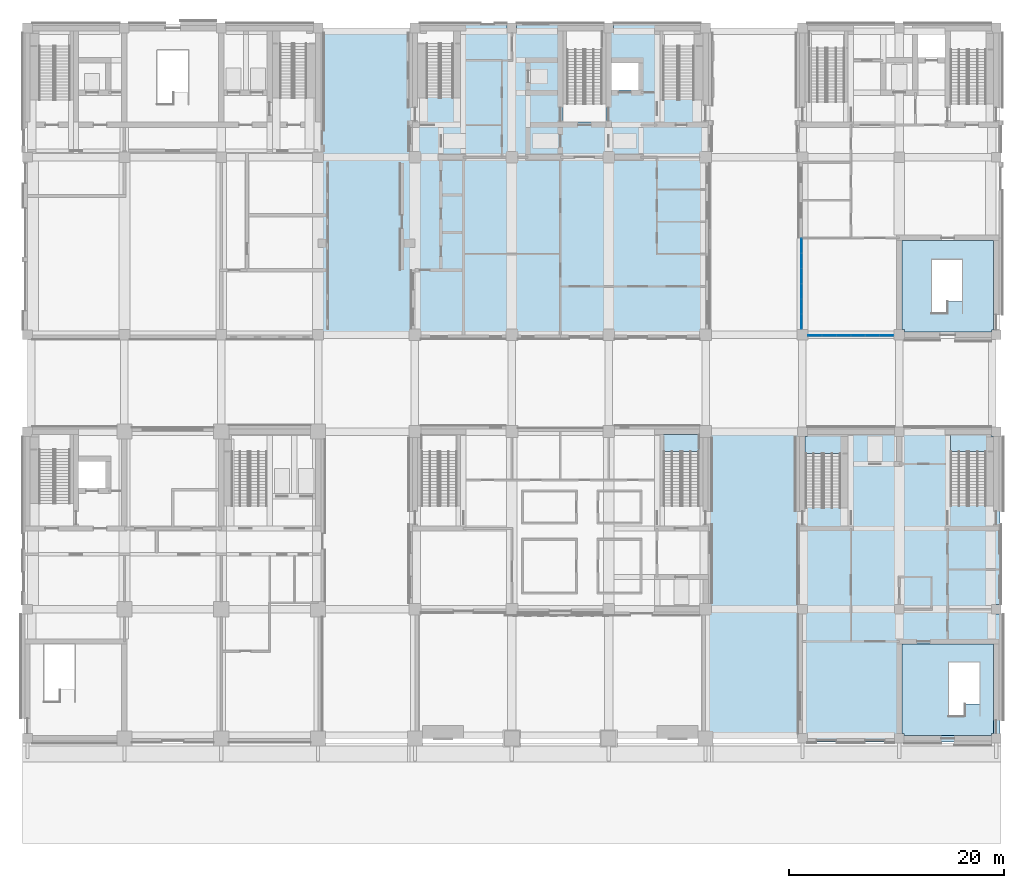
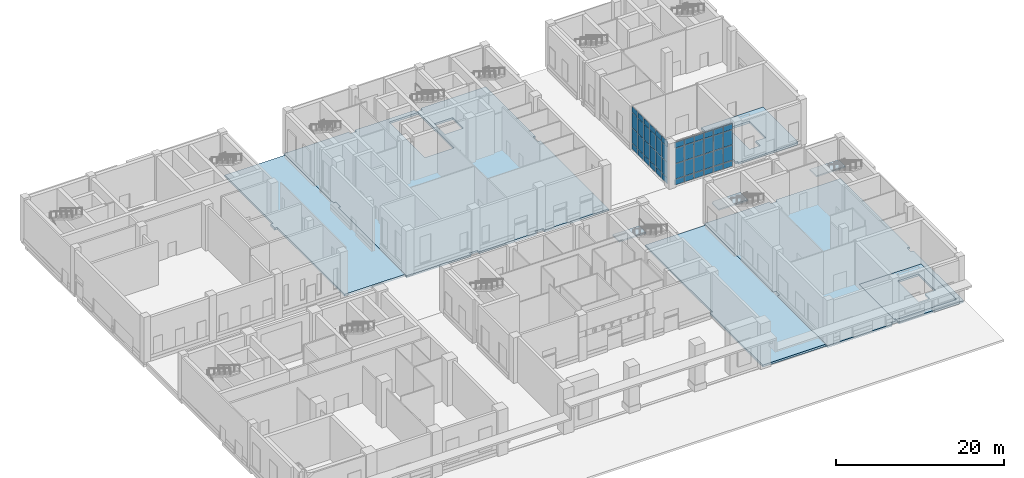
# One storey, part 6 of 35: 48 plates, 9 slabs, 5 elements without a shape of their own.
"""IFC4 building model written with IfcOpenShell, lengths in metres."""

from ifc_helpers import new_model, si_unit, direction, frame, origin, origin_2d, place, context, subcontext, project, spatial, polyline, rectangle, outline, extrude, material, layer, layer_set, type_object, element, aggregate, save


model = new_model("IFC4")

# Units and contexts
model_context = context("Model", 3, precision=1e-05, world=origin(), true_north=direction((0.0, 1.0)))
body_context = subcontext(model_context, "Body", "Model", "MODEL_VIEW")
ifc_project = project(units=[si_unit("LENGTHUNIT", "METRE"), si_unit("AREAUNIT", "SQUARE_METRE"), si_unit("VOLUMEUNIT", "CUBIC_METRE"), si_unit("PLANEANGLEUNIT", "RADIAN"), si_unit("MASSUNIT", "GRAM", prefix="KILO")], contexts=[model_context])

# Site, building, storey
site_placement = place(None, origin())
site = spatial("IfcSite", under=ifc_project, at=site_placement, CompositionType="ELEMENT")
building_placement = place(site_placement, origin())
building = spatial("IfcBuilding", under=site, at=building_placement, Name="Aurelan Courthouse", CompositionType="ELEMENT")
storey_placement = place(building_placement, origin())
storey = spatial("IfcBuildingStorey", under=building, at=storey_placement, Name="L00", CompositionType="ELEMENT", Elevation=0.0)

# Curtain wall, plates
ifc_material_1 = material(Name="Bronze-finished aluminium and glass", Category="aluminium")
ifc_layer_1 = layer(ifc_material_1, 0.14990234375)
ifc_layer_set_1 = layer_set([ifc_layer_1], Name="Bronze-finished aluminium and glass")
curtain_wall_type_1 = type_object("IfcCurtainWallType", Name="Curtain wall 8000 x 6300", PredefinedType="NOTDEFINED", material=ifc_layer_set_1)
curtain_wall_1_placement = place(storey_placement, origin())
curtain_wall_1 = element("IfcCurtainWall", 1, at=curtain_wall_1_placement, inside=storey, type_object=curtain_wall_type_1, Name="Curtain wall CW-V3-L00-S01", PredefinedType="NOTDEFINED")
ifc_material_2 = material(Name="Bronze-finished aluminium", Category="aluminium")
ifc_layer_2 = layer(ifc_material_2, 0.070068359375)
ifc_layer_set_2 = layer_set([ifc_layer_2], Name="Bronze-finished aluminium")
plate_type_1 = type_object("IfcPlateType", Name="Bronze spandrel panel 70", PredefinedType="CURTAIN_PANEL", material=ifc_layer_set_2)
plate_1_placement = place(storey_placement, frame((73.181640625, 37.425048828125, 5.429931640625), z_axis=(0.0, 0.0, 1.0), x_axis=(1.0, 0.0, 0.0)))
plate_1 = element("IfcPlate", 2, at=plate_1_placement, type_object=plate_type_1, Name="CW-V3-L00-S01 spandrel panel 1.4", PredefinedType="CURTAIN_PANEL", context=body_context, shape_type="SweptSolid", body=[
    extrude(rectangle(XDim=1.243408203125, YDim=0.070068359375, at=origin_2d()), origin(), (0.0, 0.0, 1.0), 0.81005859375),
])
plate_2_placement = place(storey_placement, frame((74.5, 37.425048828125, 5.429931640625), z_axis=(0.0, 0.0, 1.0), x_axis=(1.0, 0.0, 0.0)))
plate_2 = element("IfcPlate", 3, at=plate_2_placement, type_object=plate_type_1, Name="CW-V3-L00-S01 spandrel panel 2.4", PredefinedType="CURTAIN_PANEL", context=body_context, shape_type="SweptSolid", body=[
    extrude(rectangle(XDim=1.2734375, YDim=0.070068359375, at=origin_2d()), origin(), (0.0, 0.0, 1.0), 0.81005859375),
])
plate_3_placement = place(storey_placement, frame((75.833251953125, 37.425048828125, 5.429931640625), z_axis=(0.0, 0.0, 1.0), x_axis=(1.0, 0.0, 0.0)))
plate_3 = element("IfcPlate", 4, at=plate_3_placement, type_object=plate_type_1, Name="CW-V3-L00-S01 spandrel panel 3.4", PredefinedType="CURTAIN_PANEL", context=body_context, shape_type="SweptSolid", body=[
    extrude(rectangle(XDim=1.2734375, YDim=0.070068359375, at=origin_2d()), origin(), (0.0, 0.0, 1.0), 0.81005859375),
])
plate_4_placement = place(storey_placement, frame((77.166748046875, 37.425048828125, 5.429931640625), z_axis=(0.0, 0.0, 1.0), x_axis=(1.0, 0.0, 0.0)))
plate_4 = element("IfcPlate", 5, at=plate_4_placement, type_object=plate_type_1, Name="CW-V3-L00-S01 spandrel panel 4.4", PredefinedType="CURTAIN_PANEL", context=body_context, shape_type="SweptSolid", body=[
    extrude(rectangle(XDim=1.2734375, YDim=0.070068359375, at=origin_2d()), origin(), (0.0, 0.0, 1.0), 0.81005859375),
])
plate_5_placement = place(storey_placement, frame((78.5, 37.425048828125, 5.429931640625), z_axis=(0.0, 0.0, 1.0), x_axis=(1.0, 0.0, 0.0)))
plate_5 = element("IfcPlate", 6, at=plate_5_placement, type_object=plate_type_1, Name="CW-V3-L00-S01 spandrel panel 5.4", PredefinedType="CURTAIN_PANEL", context=body_context, shape_type="SweptSolid", body=[
    extrude(rectangle(XDim=1.2734375, YDim=0.070068359375, at=origin_2d()), origin(), (0.0, 0.0, 1.0), 0.81005859375),
])
plate_6_placement = place(storey_placement, frame((79.818359375, 37.425048828125, 5.429931640625), z_axis=(0.0, 0.0, 1.0), x_axis=(1.0, 0.0, 0.0)))
plate_6 = element("IfcPlate", 7, at=plate_6_placement, type_object=plate_type_1, Name="CW-V3-L00-S01 spandrel panel 6.4", PredefinedType="CURTAIN_PANEL", context=body_context, shape_type="SweptSolid", body=[
    extrude(rectangle(XDim=1.243408203125, YDim=0.070068359375, at=origin_2d()), origin(), (0.0, 0.0, 1.0), 0.81005859375),
])

ifc_layer_3 = layer(ifc_material_1, 0.14990234375)
ifc_layer_set_3 = layer_set([ifc_layer_3], Name="Bronze-finished aluminium and glass")
curtain_wall_type_2 = type_object("IfcCurtainWallType", Name="Curtain wall 8500 x 6300", PredefinedType="NOTDEFINED", material=ifc_layer_set_3)
curtain_wall_2_placement = place(storey_placement, origin())
curtain_wall_2 = element("IfcCurtainWall", 8, at=curtain_wall_2_placement, inside=storey, type_object=curtain_wall_type_2, Name="Curtain wall CW-V3-L00-W01", PredefinedType="NOTDEFINED")
plate_7_placement = place(storey_placement, frame((71.925048828125, 38.723388671875, 5.429931640625), z_axis=(0.0, 0.0, 1.0), x_axis=(0.0, 1.0, 0.0)))
plate_7 = element("IfcPlate", 9, at=plate_7_placement, type_object=plate_type_1, Name="CW-V3-L00-W01 spandrel panel 1.4", PredefinedType="CURTAIN_PANEL", context=body_context, shape_type="SweptSolid", body=[
    extrude(rectangle(XDim=1.32666015625, YDim=0.070068359375, at=origin_2d()), origin(), (0.0, 0.0, 1.0), 0.81005859375),
])
plate_8_placement = place(storey_placement, frame((71.925048828125, 40.125, 5.429931640625), z_axis=(0.0, 0.0, 1.0), x_axis=(0.0, 1.0, 0.0)))
plate_8 = element("IfcPlate", 10, at=plate_8_placement, type_object=plate_type_1, Name="CW-V3-L00-W01 spandrel panel 2.4", PredefinedType="CURTAIN_PANEL", context=body_context, shape_type="SweptSolid", body=[
    extrude(rectangle(XDim=1.356689453125, YDim=0.070068359375, at=origin_2d()), origin(), (0.0, 0.0, 1.0), 0.81005859375),
])
plate_9_placement = place(storey_placement, frame((71.925048828125, 41.541748046875, 5.429931640625), z_axis=(0.0, 0.0, 1.0), x_axis=(0.0, 1.0, 0.0)))
plate_9 = element("IfcPlate", 11, at=plate_9_placement, type_object=plate_type_1, Name="CW-V3-L00-W01 spandrel panel 3.4", PredefinedType="CURTAIN_PANEL", context=body_context, shape_type="SweptSolid", body=[
    extrude(rectangle(XDim=1.356689453125, YDim=0.070068359375, at=origin_2d()), origin(), (0.0, 0.0, 1.0), 0.81005859375),
])
plate_10_placement = place(storey_placement, frame((71.925048828125, 42.958251953125, 5.429931640625), z_axis=(0.0, 0.0, 1.0), x_axis=(0.0, 1.0, 0.0)))
plate_10 = element("IfcPlate", 12, at=plate_10_placement, type_object=plate_type_1, Name="CW-V3-L00-W01 spandrel panel 4.4", PredefinedType="CURTAIN_PANEL", context=body_context, shape_type="SweptSolid", body=[
    extrude(rectangle(XDim=1.356689453125, YDim=0.070068359375, at=origin_2d()), origin(), (0.0, 0.0, 1.0), 0.81005859375),
])
plate_11_placement = place(storey_placement, frame((71.925048828125, 44.375, 5.429931640625), z_axis=(0.0, 0.0, 1.0), x_axis=(0.0, 1.0, 0.0)))
plate_11 = element("IfcPlate", 13, at=plate_11_placement, type_object=plate_type_1, Name="CW-V3-L00-W01 spandrel panel 5.4", PredefinedType="CURTAIN_PANEL", context=body_context, shape_type="SweptSolid", body=[
    extrude(rectangle(XDim=1.356689453125, YDim=0.070068359375, at=origin_2d()), origin(), (0.0, 0.0, 1.0), 0.81005859375),
])
plate_12_placement = place(storey_placement, frame((71.925048828125, 45.776611328125, 5.429931640625), z_axis=(0.0, 0.0, 1.0), x_axis=(0.0, 1.0, 0.0)))
plate_12 = element("IfcPlate", 14, at=plate_12_placement, type_object=plate_type_1, Name="CW-V3-L00-W01 spandrel panel 6.4", PredefinedType="CURTAIN_PANEL", context=body_context, shape_type="SweptSolid", body=[
    extrude(rectangle(XDim=1.32666015625, YDim=0.070068359375, at=origin_2d()), origin(), (0.0, 0.0, 1.0), 0.81005859375),
])

# Slabs
ifc_material_3 = material(Name="Concrete C40", Category="concrete")
ifc_layer_4 = layer(ifc_material_3, 0.300048828125)
ifc_layer_set_4 = layer_set([ifc_layer_4], Name="Concrete C40")
slab_type_1 = type_object("IfcSlabType", Name="PT court deck slab 300", PredefinedType="FLOOR", material=ifc_layer_set_4)
slab_1_placement = place(storey_placement, frame((0.0, 0.0, -0.300048828125)))
element("IfcSlab", 15, at=slab_1_placement, inside=storey, type_object=slab_type_1, Name="Court Deck G1N", PredefinedType="FLOOR", context=body_context, shape_type="SweptSolid", body=[
    extrude(outline(polyline([(36.0, 53.449951171875), (36.0, 54.550048828125), (35.64990234375, 54.550048828125), (35.64990234375, 65.550048828125), (35.64990234375, 66.0), (27.35009765625, 66.0), (27.35009765625, 65.550048828125), (27.35009765625, 54.5), (27.0, 54.5), (27.0, 53.5), (27.35009765625, 53.5), (27.35009765625, 38.0), (27.35009765625, 37.5), (35.64990234375, 37.5), (35.64990234375, 38.050048828125), (35.64990234375, 53.449951171875), (36.0, 53.449951171875)])), origin(), (0.0, 0.0, 1.0), 0.300048828125),
])
slab_2_placement = place(storey_placement, frame((0.0, 0.0, -0.300048828125)))
element("IfcSlab", 16, at=slab_2_placement, inside=storey, type_object=slab_type_1, Name="Court Deck G2S", PredefinedType="FLOOR", context=body_context, shape_type="SweptSolid", body=[
    extrude(outline(polyline([(72.0, 11.550048828125), (72.0, 12.449951171875), (71.64990234375, 12.449951171875), (71.64990234375, 28.050048828125), (71.64990234375, 28.5), (63.35009765625, 28.5), (63.35009765625, 27.949951171875), (63.35009765625, 12.550048828125), (63.0, 12.550048828125), (63.0, 11.75), (63.0, 0.0), (71.64990234375, 0.0), (71.64990234375, 0.449951171875), (71.64990234375, 11.550048828125), (72.0, 11.550048828125)])), origin(), (0.0, 0.0, 1.0), 0.300048828125),
])
ifc_layer_5 = layer(ifc_material_3, 0.300048828125)
ifc_layer_set_5 = layer_set([ifc_layer_5], Name="Concrete C40")
slab_type_2 = type_object("IfcSlabType", Name="PT floor slab 300", PredefinedType="FLOOR", material=ifc_layer_set_5)
slab_3_placement = place(storey_placement, frame((0.0, 0.0, -0.300048828125)))
element("IfcSlab", 17, at=slab_3_placement, inside=storey, type_object=slab_type_2, Name="Floor slab SL-L00-02", PredefinedType="FLOOR", context=body_context, shape_type="SweptSolid", body=[
    extrude(outline(polyline([(35.64990234375, 38.050048828125), (35.64990234375, 37.14990234375), (36.550048828125, 37.14990234375), (44.449951171875, 37.14990234375), (44.449951171875, 37.5), (45.550048828125, 37.5), (45.550048828125, 37.14990234375), (53.449951171875, 37.14990234375), (53.449951171875, 37.5), (54.550048828125, 37.5), (54.550048828125, 37.14990234375), (62.449951171875, 37.14990234375), (63.35009765625, 37.14990234375), (63.35009765625, 38.050048828125), (63.35009765625, 53.449951171875), (63.0, 53.449951171875), (63.0, 54.550048828125), (63.35009765625, 54.550048828125), (63.35009765625, 65.550048828125), (63.35009765625, 66.35009765625), (62.550048828125, 66.35009765625), (54.449951171875, 66.35009765625), (54.449951171875, 66.0), (53.550048828125, 66.0), (53.550048828125, 66.35009765625), (45.449951171875, 66.35009765625), (45.449951171875, 66.0), (44.550048828125, 66.0), (44.550048828125, 66.35009765625), (36.449951171875, 66.35009765625), (35.64990234375, 66.35009765625), (35.64990234375, 65.550048828125), (35.64990234375, 54.550048828125), (36.0, 54.550048828125), (36.0, 53.449951171875), (35.64990234375, 53.449951171875), (35.64990234375, 38.050048828125)]), holes=[polyline([(56.75, 62.75), (56.75, 60.25), (54.25, 60.25), (54.25, 62.75), (56.75, 62.75)]), polyline([(49.75, 65.75), (53.75, 65.75), (53.75, 57.25), (49.75, 57.25), (49.75, 65.75)])]), origin(), (0.0, 0.0, 1.0), 0.300048828125),
])
slab_4_placement = place(storey_placement, frame((0.0, 0.0, -0.300048828125)))
element("IfcSlab", 18, at=slab_4_placement, inside=storey, type_object=slab_type_2, Name="Floor slab SL-L00-04", PredefinedType="FLOOR", context=body_context, shape_type="SweptSolid", body=[
    extrude(outline(polyline([(71.64990234375, -0.35009765625), (72.449951171875, -0.35009765625), (80.550048828125, -0.35009765625), (80.550048828125, 0.0), (81.449951171875, 0.0), (81.449951171875, -0.35009765625), (89.550048828125, -0.35009765625), (90.35009765625, -0.35009765625), (90.35009765625, 0.449951171875), (90.35009765625, 11.550048828125), (90.0, 11.550048828125), (90.0, 12.449951171875), (90.35009765625, 12.449951171875), (90.35009765625, 28.050048828125), (90.35009765625, 28.85009765625), (89.550048828125, 28.85009765625), (81.449951171875, 28.85009765625), (81.449951171875, 28.5), (80.550048828125, 28.5), (80.550048828125, 28.85009765625), (72.449951171875, 28.85009765625), (71.64990234375, 28.85009765625), (71.64990234375, 28.050048828125), (71.64990234375, 12.449951171875), (72.0, 12.449951171875), (72.0, 11.550048828125), (71.64990234375, 11.550048828125), (71.64990234375, 0.449951171875), (71.64990234375, -0.35009765625)]), holes=[polyline([(89.75, 8.75), (89.75, 0.25), (81.25, 0.25), (81.25, 8.75), (89.75, 8.75)])]), origin(), (0.0, 0.0, 1.0), 0.300048828125),
])

# Plate
ifc_layer_6 = layer(ifc_material_2, 0.0400390625)
ifc_layer_set_6 = layer_set([ifc_layer_6], Name="Bronze-finished aluminium")
plate_type_2 = type_object("IfcPlateType", Name="Sill panel 40", PredefinedType="CURTAIN_PANEL", material=ifc_layer_set_6)
plate_13_placement = place(storey_placement, frame((73.181640625, 37.425048828125, 0.06005859375), z_axis=(0.0, 0.0, 1.0), x_axis=(1.0, 0.0, 0.0)))
plate_13 = element("IfcPlate", 19, at=plate_13_placement, type_object=plate_type_2, Name="CW-V3-L00-S01 sill panel 1.1", PredefinedType="CURTAIN_PANEL", context=body_context, shape_type="SweptSolid", body=[
    extrude(rectangle(XDim=1.243408203125, YDim=0.0400390625, at=origin_2d()), origin(), (0.0, 0.0, 1.0), 0.81005859375),
])

plate_14_placement = place(storey_placement, frame((74.5, 37.425048828125, 0.06005859375), z_axis=(0.0, 0.0, 1.0), x_axis=(1.0, 0.0, 0.0)))
plate_14 = element("IfcPlate", 20, at=plate_14_placement, type_object=plate_type_2, Name="CW-V3-L00-S01 sill panel 2.1", PredefinedType="CURTAIN_PANEL", context=body_context, shape_type="SweptSolid", body=[
    extrude(rectangle(XDim=1.2734375, YDim=0.0400390625, at=origin_2d()), origin(), (0.0, 0.0, 1.0), 0.81005859375),
])

plate_15_placement = place(storey_placement, frame((75.833251953125, 37.425048828125, 0.06005859375), z_axis=(0.0, 0.0, 1.0), x_axis=(1.0, 0.0, 0.0)))
plate_15 = element("IfcPlate", 21, at=plate_15_placement, type_object=plate_type_2, Name="CW-V3-L00-S01 sill panel 3.1", PredefinedType="CURTAIN_PANEL", context=body_context, shape_type="SweptSolid", body=[
    extrude(rectangle(XDim=1.2734375, YDim=0.0400390625, at=origin_2d()), origin(), (0.0, 0.0, 1.0), 0.81005859375),
])

plate_16_placement = place(storey_placement, frame((77.166748046875, 37.425048828125, 0.06005859375), z_axis=(0.0, 0.0, 1.0), x_axis=(1.0, 0.0, 0.0)))
plate_16 = element("IfcPlate", 22, at=plate_16_placement, type_object=plate_type_2, Name="CW-V3-L00-S01 sill panel 4.1", PredefinedType="CURTAIN_PANEL", context=body_context, shape_type="SweptSolid", body=[
    extrude(rectangle(XDim=1.2734375, YDim=0.0400390625, at=origin_2d()), origin(), (0.0, 0.0, 1.0), 0.81005859375),
])

plate_17_placement = place(storey_placement, frame((78.5, 37.425048828125, 0.06005859375), z_axis=(0.0, 0.0, 1.0), x_axis=(1.0, 0.0, 0.0)))
plate_17 = element("IfcPlate", 23, at=plate_17_placement, type_object=plate_type_2, Name="CW-V3-L00-S01 sill panel 5.1", PredefinedType="CURTAIN_PANEL", context=body_context, shape_type="SweptSolid", body=[
    extrude(rectangle(XDim=1.2734375, YDim=0.0400390625, at=origin_2d()), origin(), (0.0, 0.0, 1.0), 0.81005859375),
])

plate_18_placement = place(storey_placement, frame((79.818359375, 37.425048828125, 0.06005859375), z_axis=(0.0, 0.0, 1.0), x_axis=(1.0, 0.0, 0.0)))
plate_18 = element("IfcPlate", 24, at=plate_18_placement, type_object=plate_type_2, Name="CW-V3-L00-S01 sill panel 6.1", PredefinedType="CURTAIN_PANEL", context=body_context, shape_type="SweptSolid", body=[
    extrude(rectangle(XDim=1.243408203125, YDim=0.0400390625, at=origin_2d()), origin(), (0.0, 0.0, 1.0), 0.81005859375),
])

plate_19_placement = place(storey_placement, frame((71.925048828125, 38.723388671875, 0.06005859375), z_axis=(0.0, 0.0, 1.0), x_axis=(0.0, 1.0, 0.0)))
plate_19 = element("IfcPlate", 25, at=plate_19_placement, type_object=plate_type_2, Name="CW-V3-L00-W01 sill panel 1.1", PredefinedType="CURTAIN_PANEL", context=body_context, shape_type="SweptSolid", body=[
    extrude(rectangle(XDim=1.32666015625, YDim=0.0400390625, at=origin_2d()), origin(), (0.0, 0.0, 1.0), 0.81005859375),
])

plate_20_placement = place(storey_placement, frame((71.925048828125, 40.125, 0.06005859375), z_axis=(0.0, 0.0, 1.0), x_axis=(0.0, 1.0, 0.0)))
plate_20 = element("IfcPlate", 26, at=plate_20_placement, type_object=plate_type_2, Name="CW-V3-L00-W01 sill panel 2.1", PredefinedType="CURTAIN_PANEL", context=body_context, shape_type="SweptSolid", body=[
    extrude(rectangle(XDim=1.356689453125, YDim=0.0400390625, at=origin_2d()), origin(), (0.0, 0.0, 1.0), 0.81005859375),
])

plate_21_placement = place(storey_placement, frame((71.925048828125, 41.541748046875, 0.06005859375), z_axis=(0.0, 0.0, 1.0), x_axis=(0.0, 1.0, 0.0)))
plate_21 = element("IfcPlate", 27, at=plate_21_placement, type_object=plate_type_2, Name="CW-V3-L00-W01 sill panel 3.1", PredefinedType="CURTAIN_PANEL", context=body_context, shape_type="SweptSolid", body=[
    extrude(rectangle(XDim=1.356689453125, YDim=0.0400390625, at=origin_2d()), origin(), (0.0, 0.0, 1.0), 0.81005859375),
])

plate_22_placement = place(storey_placement, frame((71.925048828125, 42.958251953125, 0.06005859375), z_axis=(0.0, 0.0, 1.0), x_axis=(0.0, 1.0, 0.0)))
plate_22 = element("IfcPlate", 28, at=plate_22_placement, type_object=plate_type_2, Name="CW-V3-L00-W01 sill panel 4.1", PredefinedType="CURTAIN_PANEL", context=body_context, shape_type="SweptSolid", body=[
    extrude(rectangle(XDim=1.356689453125, YDim=0.0400390625, at=origin_2d()), origin(), (0.0, 0.0, 1.0), 0.81005859375),
])

plate_23_placement = place(storey_placement, frame((71.925048828125, 44.375, 0.06005859375), z_axis=(0.0, 0.0, 1.0), x_axis=(0.0, 1.0, 0.0)))
plate_23 = element("IfcPlate", 29, at=plate_23_placement, type_object=plate_type_2, Name="CW-V3-L00-W01 sill panel 5.1", PredefinedType="CURTAIN_PANEL", context=body_context, shape_type="SweptSolid", body=[
    extrude(rectangle(XDim=1.356689453125, YDim=0.0400390625, at=origin_2d()), origin(), (0.0, 0.0, 1.0), 0.81005859375),
])

plate_24_placement = place(storey_placement, frame((71.925048828125, 45.776611328125, 0.06005859375), z_axis=(0.0, 0.0, 1.0), x_axis=(0.0, 1.0, 0.0)))
plate_24 = element("IfcPlate", 30, at=plate_24_placement, type_object=plate_type_2, Name="CW-V3-L00-W01 sill panel 6.1", PredefinedType="CURTAIN_PANEL", context=body_context, shape_type="SweptSolid", body=[
    extrude(rectangle(XDim=1.32666015625, YDim=0.0400390625, at=origin_2d()), origin(), (0.0, 0.0, 1.0), 0.81005859375),
])

# Slabs
ifc_material_4 = material(Name="Concrete C30", Category="concrete")
ifc_layer_7 = layer(ifc_material_4, 0.300048828125)
ifc_layer_set_7 = layer_set([ifc_layer_7], Name="Concrete C30")
slab_type_3 = type_object("IfcSlabType", Name="Stair floor landing 300 thick", PredefinedType="LANDING", material=ifc_layer_set_7)
slab_5_placement = place(storey_placement, frame((0.0, 0.0, -0.300048828125)))
element("IfcSlab", 31, at=slab_5_placement, inside=storey, type_object=slab_type_3, Name="Stair BS-2 landing L00", PredefinedType="LANDING", context=body_context, shape_type="SweptSolid", body=[
    extrude(outline(polyline([(81.449951171875, 0.25), (81.449951171875, 0.449951171875), (81.25, 0.449951171875), (81.25, 8.75), (89.590087890625, 8.75), (89.60009765625, 8.75), (89.75, 8.75), (89.75, 0.449951171875), (89.550048828125, 0.449951171875), (89.550048828125, 0.25), (81.449951171875, 0.25)]), holes=[polyline([(87.090087890625, 2.055908203125), (87.090087890625, 3.176025390625), (88.489990234375, 3.176025390625), (88.489990234375, 7.094970703125), (85.590087890625, 7.094970703125), (85.590087890625, 2.055908203125), (87.090087890625, 2.055908203125)])]), origin(), (0.0, 0.0, 1.0), 0.300048828125),
])
slab_6_placement = place(storey_placement, frame((0.0, 0.0, -0.300048828125)))
element("IfcSlab", 32, at=slab_6_placement, inside=storey, type_object=slab_type_3, Name="Stair BS-4 landing L00", PredefinedType="LANDING", context=body_context, shape_type="SweptSolid", body=[
    extrude(outline(polyline([(81.5, 37.75), (81.5, 38.0), (81.25, 38.0), (81.25, 46.25), (89.590087890625, 46.25), (89.60009765625, 46.25), (89.75, 46.25), (89.75, 37.949951171875), (89.550048828125, 37.949951171875), (89.550048828125, 37.75), (81.5, 37.75)]), holes=[polyline([(83.97509765625, 39.48095703125), (85.47509765625, 39.48095703125), (85.47509765625, 40.60107421875), (86.875, 40.60107421875), (86.875, 44.52001953125), (83.97509765625, 44.52001953125), (83.97509765625, 39.48095703125)])]), origin(), (0.0, 0.0, 1.0), 0.300048828125),
])

# Stair, slab
stair_type = type_object("IfcStairType", Name="Half-turn stair 1600 wide 38 risers", PredefinedType="HALF_TURN_STAIR", material=ifc_material_4)
stair_1_placement = place(storey_placement, origin())
stair_1 = element("IfcStair", 33, at=stair_1_placement, inside=storey, type_object=stair_type, Name="Stair ST-1E-L00", PredefinedType="HALF_TURN_STAIR")
ifc_layer_8 = layer(ifc_material_4, 0.199951171875)
ifc_layer_set_8 = layer_set([ifc_layer_8], Name="Concrete C30")
slab_type_4 = type_object("IfcSlabType", Name="Stair half landing 200 thick", PredefinedType="LANDING", material=ifc_layer_set_8)
slab_7_placement = place(storey_placement, frame((0.0, 0.0, 3.10009765625)))
slab_7 = element("IfcSlab", 34, at=slab_7_placement, type_object=slab_type_4, Name="Stair ST-1E-L00 half landing", PredefinedType="LANDING", context=body_context, shape_type="SweptSolid", body=[
    extrude(outline(polyline([(58.75, 28.25), (62.39990234375, 28.25), (62.39990234375, 26.64990234375), (58.75, 26.64990234375), (58.75, 28.25)])), origin(), (0.0, 0.0, 1.0), 0.199951171875),
])
aggregate(stair_1, [slab_7])

stair_2_placement = place(storey_placement, origin())
stair_2 = element("IfcStair", 35, at=stair_2_placement, inside=storey, type_object=stair_type, Name="Stair ST-4A-L00", PredefinedType="HALF_TURN_STAIR")
slab_8_placement = place(storey_placement, frame((0.0, 0.0, 3.10009765625)))
slab_8 = element("IfcSlab", 36, at=slab_8_placement, type_object=slab_type_4, Name="Stair ST-4A-L00 half landing", PredefinedType="LANDING", context=body_context, shape_type="SweptSolid", body=[
    extrude(outline(polyline([(72.25, 28.050048828125), (72.449951171875, 28.050048828125), (72.449951171875, 28.25), (76.25, 28.25), (76.25, 26.449951171875), (72.25, 26.449951171875), (72.25, 28.050048828125)])), origin(), (0.0, 0.0, 1.0), 0.199951171875),
])
aggregate(stair_2, [slab_8])

stair_3_placement = place(storey_placement, origin())
stair_3 = element("IfcStair", 37, at=stair_3_placement, inside=storey, type_object=stair_type, Name="Stair ST-4B-L00", PredefinedType="HALF_TURN_STAIR")
slab_9_placement = place(storey_placement, frame((0.0, 0.0, 3.10009765625)))
slab_9 = element("IfcSlab", 38, at=slab_9_placement, type_object=slab_type_4, Name="Stair ST-4B-L00 half landing", PredefinedType="LANDING", context=body_context, shape_type="SweptSolid", body=[
    extrude(outline(polyline([(85.75, 28.25), (89.550048828125, 28.25), (89.550048828125, 28.050048828125), (89.75, 28.050048828125), (89.75, 26.64990234375), (85.75, 26.64990234375), (85.75, 28.25)])), origin(), (0.0, 0.0, 1.0), 0.199951171875),
])
aggregate(stair_3, [slab_9])

# Plate
ifc_material_5 = material(Name="Laminated low-emissivity glass", Category="glass")
ifc_layer_9 = layer(ifc_material_5, 0.031982421875)
ifc_layer_set_9 = layer_set([ifc_layer_9], Name="Laminated low-emissivity glass")
plate_type_3 = type_object("IfcPlateType", Name="Vision glass panel 32", PredefinedType="CURTAIN_PANEL", material=ifc_layer_set_9)
plate_25_placement = place(storey_placement, frame((73.181640625, 37.425048828125, 0.929931640625), z_axis=(0.0, 0.0, 1.0), x_axis=(1.0, 0.0, 0.0)))
plate_25 = element("IfcPlate", 39, at=plate_25_placement, type_object=plate_type_3, Name="CW-V3-L00-S01 vision panel 1.2", PredefinedType="CURTAIN_PANEL", context=body_context, shape_type="SweptSolid", body=[
    extrude(rectangle(XDim=1.243408203125, YDim=0.031982421875, at=origin_2d()), origin(), (0.0, 0.0, 1.0), 2.18994140625),
])

plate_26_placement = place(storey_placement, frame((73.181640625, 37.425048828125, 3.179931640625), z_axis=(0.0, 0.0, 1.0), x_axis=(1.0, 0.0, 0.0)))
plate_26 = element("IfcPlate", 40, at=plate_26_placement, type_object=plate_type_3, Name="CW-V3-L00-S01 vision panel 1.3", PredefinedType="CURTAIN_PANEL", context=body_context, shape_type="SweptSolid", body=[
    extrude(rectangle(XDim=1.243408203125, YDim=0.031982421875, at=origin_2d()), origin(), (0.0, 0.0, 1.0), 2.18994140625),
])

plate_27_placement = place(storey_placement, frame((74.5, 37.425048828125, 0.929931640625), z_axis=(0.0, 0.0, 1.0), x_axis=(1.0, 0.0, 0.0)))
plate_27 = element("IfcPlate", 41, at=plate_27_placement, type_object=plate_type_3, Name="CW-V3-L00-S01 vision panel 2.2", PredefinedType="CURTAIN_PANEL", context=body_context, shape_type="SweptSolid", body=[
    extrude(rectangle(XDim=1.2734375, YDim=0.031982421875, at=origin_2d()), origin(), (0.0, 0.0, 1.0), 2.18994140625),
])

plate_28_placement = place(storey_placement, frame((74.5, 37.425048828125, 3.179931640625), z_axis=(0.0, 0.0, 1.0), x_axis=(1.0, 0.0, 0.0)))
plate_28 = element("IfcPlate", 42, at=plate_28_placement, type_object=plate_type_3, Name="CW-V3-L00-S01 vision panel 2.3", PredefinedType="CURTAIN_PANEL", context=body_context, shape_type="SweptSolid", body=[
    extrude(rectangle(XDim=1.2734375, YDim=0.031982421875, at=origin_2d()), origin(), (0.0, 0.0, 1.0), 2.18994140625),
])

plate_29_placement = place(storey_placement, frame((75.833251953125, 37.425048828125, 0.929931640625), z_axis=(0.0, 0.0, 1.0), x_axis=(1.0, 0.0, 0.0)))
plate_29 = element("IfcPlate", 43, at=plate_29_placement, type_object=plate_type_3, Name="CW-V3-L00-S01 vision panel 3.2", PredefinedType="CURTAIN_PANEL", context=body_context, shape_type="SweptSolid", body=[
    extrude(rectangle(XDim=1.2734375, YDim=0.031982421875, at=origin_2d()), origin(), (0.0, 0.0, 1.0), 2.18994140625),
])

plate_30_placement = place(storey_placement, frame((75.833251953125, 37.425048828125, 3.179931640625), z_axis=(0.0, 0.0, 1.0), x_axis=(1.0, 0.0, 0.0)))
plate_30 = element("IfcPlate", 44, at=plate_30_placement, type_object=plate_type_3, Name="CW-V3-L00-S01 vision panel 3.3", PredefinedType="CURTAIN_PANEL", context=body_context, shape_type="SweptSolid", body=[
    extrude(rectangle(XDim=1.2734375, YDim=0.031982421875, at=origin_2d()), origin(), (0.0, 0.0, 1.0), 2.18994140625),
])

plate_31_placement = place(storey_placement, frame((77.166748046875, 37.425048828125, 0.929931640625), z_axis=(0.0, 0.0, 1.0), x_axis=(1.0, 0.0, 0.0)))
plate_31 = element("IfcPlate", 45, at=plate_31_placement, type_object=plate_type_3, Name="CW-V3-L00-S01 vision panel 4.2", PredefinedType="CURTAIN_PANEL", context=body_context, shape_type="SweptSolid", body=[
    extrude(rectangle(XDim=1.2734375, YDim=0.031982421875, at=origin_2d()), origin(), (0.0, 0.0, 1.0), 2.18994140625),
])

plate_32_placement = place(storey_placement, frame((77.166748046875, 37.425048828125, 3.179931640625), z_axis=(0.0, 0.0, 1.0), x_axis=(1.0, 0.0, 0.0)))
plate_32 = element("IfcPlate", 46, at=plate_32_placement, type_object=plate_type_3, Name="CW-V3-L00-S01 vision panel 4.3", PredefinedType="CURTAIN_PANEL", context=body_context, shape_type="SweptSolid", body=[
    extrude(rectangle(XDim=1.2734375, YDim=0.031982421875, at=origin_2d()), origin(), (0.0, 0.0, 1.0), 2.18994140625),
])

plate_33_placement = place(storey_placement, frame((78.5, 37.425048828125, 0.929931640625), z_axis=(0.0, 0.0, 1.0), x_axis=(1.0, 0.0, 0.0)))
plate_33 = element("IfcPlate", 47, at=plate_33_placement, type_object=plate_type_3, Name="CW-V3-L00-S01 vision panel 5.2", PredefinedType="CURTAIN_PANEL", context=body_context, shape_type="SweptSolid", body=[
    extrude(rectangle(XDim=1.2734375, YDim=0.031982421875, at=origin_2d()), origin(), (0.0, 0.0, 1.0), 2.18994140625),
])

plate_34_placement = place(storey_placement, frame((78.5, 37.425048828125, 3.179931640625), z_axis=(0.0, 0.0, 1.0), x_axis=(1.0, 0.0, 0.0)))
plate_34 = element("IfcPlate", 48, at=plate_34_placement, type_object=plate_type_3, Name="CW-V3-L00-S01 vision panel 5.3", PredefinedType="CURTAIN_PANEL", context=body_context, shape_type="SweptSolid", body=[
    extrude(rectangle(XDim=1.2734375, YDim=0.031982421875, at=origin_2d()), origin(), (0.0, 0.0, 1.0), 2.18994140625),
])

plate_35_placement = place(storey_placement, frame((79.818359375, 37.425048828125, 0.929931640625), z_axis=(0.0, 0.0, 1.0), x_axis=(1.0, 0.0, 0.0)))
plate_35 = element("IfcPlate", 49, at=plate_35_placement, type_object=plate_type_3, Name="CW-V3-L00-S01 vision panel 6.2", PredefinedType="CURTAIN_PANEL", context=body_context, shape_type="SweptSolid", body=[
    extrude(rectangle(XDim=1.243408203125, YDim=0.031982421875, at=origin_2d()), origin(), (0.0, 0.0, 1.0), 2.18994140625),
])

plate_36_placement = place(storey_placement, frame((79.818359375, 37.425048828125, 3.179931640625), z_axis=(0.0, 0.0, 1.0), x_axis=(1.0, 0.0, 0.0)))
plate_36 = element("IfcPlate", 50, at=plate_36_placement, type_object=plate_type_3, Name="CW-V3-L00-S01 vision panel 6.3", PredefinedType="CURTAIN_PANEL", context=body_context, shape_type="SweptSolid", body=[
    extrude(rectangle(XDim=1.243408203125, YDim=0.031982421875, at=origin_2d()), origin(), (0.0, 0.0, 1.0), 2.18994140625),
])

aggregate(curtain_wall_1, [plate_13, plate_25, plate_26, plate_1, plate_14, plate_27, plate_28, plate_2, plate_15, plate_29, plate_30, plate_3, plate_16, plate_31, plate_32, plate_4, plate_17, plate_33, plate_34, plate_5, plate_18, plate_35, plate_36, plate_6])

plate_37_placement = place(storey_placement, frame((71.925048828125, 38.723388671875, 0.929931640625), z_axis=(0.0, 0.0, 1.0), x_axis=(0.0, 1.0, 0.0)))
plate_37 = element("IfcPlate", 51, at=plate_37_placement, type_object=plate_type_3, Name="CW-V3-L00-W01 vision panel 1.2", PredefinedType="CURTAIN_PANEL", context=body_context, shape_type="SweptSolid", body=[
    extrude(rectangle(XDim=1.32666015625, YDim=0.031982421875, at=origin_2d()), origin(), (0.0, 0.0, 1.0), 2.18994140625),
])

plate_38_placement = place(storey_placement, frame((71.925048828125, 38.723388671875, 3.179931640625), z_axis=(0.0, 0.0, 1.0), x_axis=(0.0, 1.0, 0.0)))
plate_38 = element("IfcPlate", 52, at=plate_38_placement, type_object=plate_type_3, Name="CW-V3-L00-W01 vision panel 1.3", PredefinedType="CURTAIN_PANEL", context=body_context, shape_type="SweptSolid", body=[
    extrude(rectangle(XDim=1.32666015625, YDim=0.031982421875, at=origin_2d()), origin(), (0.0, 0.0, 1.0), 2.18994140625),
])

plate_39_placement = place(storey_placement, frame((71.925048828125, 40.125, 0.929931640625), z_axis=(0.0, 0.0, 1.0), x_axis=(0.0, 1.0, 0.0)))
plate_39 = element("IfcPlate", 53, at=plate_39_placement, type_object=plate_type_3, Name="CW-V3-L00-W01 vision panel 2.2", PredefinedType="CURTAIN_PANEL", context=body_context, shape_type="SweptSolid", body=[
    extrude(rectangle(XDim=1.356689453125, YDim=0.031982421875, at=origin_2d()), origin(), (0.0, 0.0, 1.0), 2.18994140625),
])

plate_40_placement = place(storey_placement, frame((71.925048828125, 40.125, 3.179931640625), z_axis=(0.0, 0.0, 1.0), x_axis=(0.0, 1.0, 0.0)))
plate_40 = element("IfcPlate", 54, at=plate_40_placement, type_object=plate_type_3, Name="CW-V3-L00-W01 vision panel 2.3", PredefinedType="CURTAIN_PANEL", context=body_context, shape_type="SweptSolid", body=[
    extrude(rectangle(XDim=1.356689453125, YDim=0.031982421875, at=origin_2d()), origin(), (0.0, 0.0, 1.0), 2.18994140625),
])

plate_41_placement = place(storey_placement, frame((71.925048828125, 41.541748046875, 0.929931640625), z_axis=(0.0, 0.0, 1.0), x_axis=(0.0, 1.0, 0.0)))
plate_41 = element("IfcPlate", 55, at=plate_41_placement, type_object=plate_type_3, Name="CW-V3-L00-W01 vision panel 3.2", PredefinedType="CURTAIN_PANEL", context=body_context, shape_type="SweptSolid", body=[
    extrude(rectangle(XDim=1.356689453125, YDim=0.031982421875, at=origin_2d()), origin(), (0.0, 0.0, 1.0), 2.18994140625),
])

plate_42_placement = place(storey_placement, frame((71.925048828125, 41.541748046875, 3.179931640625), z_axis=(0.0, 0.0, 1.0), x_axis=(0.0, 1.0, 0.0)))
plate_42 = element("IfcPlate", 56, at=plate_42_placement, type_object=plate_type_3, Name="CW-V3-L00-W01 vision panel 3.3", PredefinedType="CURTAIN_PANEL", context=body_context, shape_type="SweptSolid", body=[
    extrude(rectangle(XDim=1.356689453125, YDim=0.031982421875, at=origin_2d()), origin(), (0.0, 0.0, 1.0), 2.18994140625),
])

plate_43_placement = place(storey_placement, frame((71.925048828125, 42.958251953125, 0.929931640625), z_axis=(0.0, 0.0, 1.0), x_axis=(0.0, 1.0, 0.0)))
plate_43 = element("IfcPlate", 57, at=plate_43_placement, type_object=plate_type_3, Name="CW-V3-L00-W01 vision panel 4.2", PredefinedType="CURTAIN_PANEL", context=body_context, shape_type="SweptSolid", body=[
    extrude(rectangle(XDim=1.356689453125, YDim=0.031982421875, at=origin_2d()), origin(), (0.0, 0.0, 1.0), 2.18994140625),
])

plate_44_placement = place(storey_placement, frame((71.925048828125, 42.958251953125, 3.179931640625), z_axis=(0.0, 0.0, 1.0), x_axis=(0.0, 1.0, 0.0)))
plate_44 = element("IfcPlate", 58, at=plate_44_placement, type_object=plate_type_3, Name="CW-V3-L00-W01 vision panel 4.3", PredefinedType="CURTAIN_PANEL", context=body_context, shape_type="SweptSolid", body=[
    extrude(rectangle(XDim=1.356689453125, YDim=0.031982421875, at=origin_2d()), origin(), (0.0, 0.0, 1.0), 2.18994140625),
])

plate_45_placement = place(storey_placement, frame((71.925048828125, 44.375, 0.929931640625), z_axis=(0.0, 0.0, 1.0), x_axis=(0.0, 1.0, 0.0)))
plate_45 = element("IfcPlate", 59, at=plate_45_placement, type_object=plate_type_3, Name="CW-V3-L00-W01 vision panel 5.2", PredefinedType="CURTAIN_PANEL", context=body_context, shape_type="SweptSolid", body=[
    extrude(rectangle(XDim=1.356689453125, YDim=0.031982421875, at=origin_2d()), origin(), (0.0, 0.0, 1.0), 2.18994140625),
])

plate_46_placement = place(storey_placement, frame((71.925048828125, 44.375, 3.179931640625), z_axis=(0.0, 0.0, 1.0), x_axis=(0.0, 1.0, 0.0)))
plate_46 = element("IfcPlate", 60, at=plate_46_placement, type_object=plate_type_3, Name="CW-V3-L00-W01 vision panel 5.3", PredefinedType="CURTAIN_PANEL", context=body_context, shape_type="SweptSolid", body=[
    extrude(rectangle(XDim=1.356689453125, YDim=0.031982421875, at=origin_2d()), origin(), (0.0, 0.0, 1.0), 2.18994140625),
])

plate_47_placement = place(storey_placement, frame((71.925048828125, 45.776611328125, 0.929931640625), z_axis=(0.0, 0.0, 1.0), x_axis=(0.0, 1.0, 0.0)))
plate_47 = element("IfcPlate", 61, at=plate_47_placement, type_object=plate_type_3, Name="CW-V3-L00-W01 vision panel 6.2", PredefinedType="CURTAIN_PANEL", context=body_context, shape_type="SweptSolid", body=[
    extrude(rectangle(XDim=1.32666015625, YDim=0.031982421875, at=origin_2d()), origin(), (0.0, 0.0, 1.0), 2.18994140625),
])

plate_48_placement = place(storey_placement, frame((71.925048828125, 45.776611328125, 3.179931640625), z_axis=(0.0, 0.0, 1.0), x_axis=(0.0, 1.0, 0.0)))
plate_48 = element("IfcPlate", 62, at=plate_48_placement, type_object=plate_type_3, Name="CW-V3-L00-W01 vision panel 6.3", PredefinedType="CURTAIN_PANEL", context=body_context, shape_type="SweptSolid", body=[
    extrude(rectangle(XDim=1.32666015625, YDim=0.031982421875, at=origin_2d()), origin(), (0.0, 0.0, 1.0), 2.18994140625),
])

aggregate(curtain_wall_2, [plate_19, plate_37, plate_38, plate_7, plate_20, plate_39, plate_40, plate_8, plate_21, plate_41, plate_42, plate_9, plate_22, plate_43, plate_44, plate_10, plate_23, plate_45, plate_46, plate_11, plate_24, plate_47, plate_48, plate_12])

save(model, "model.ifc")
